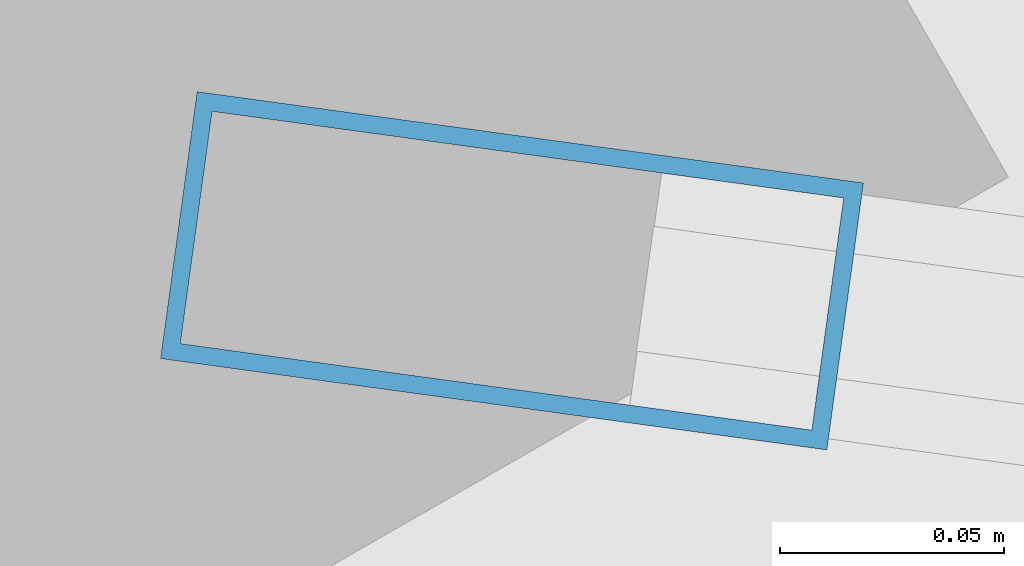
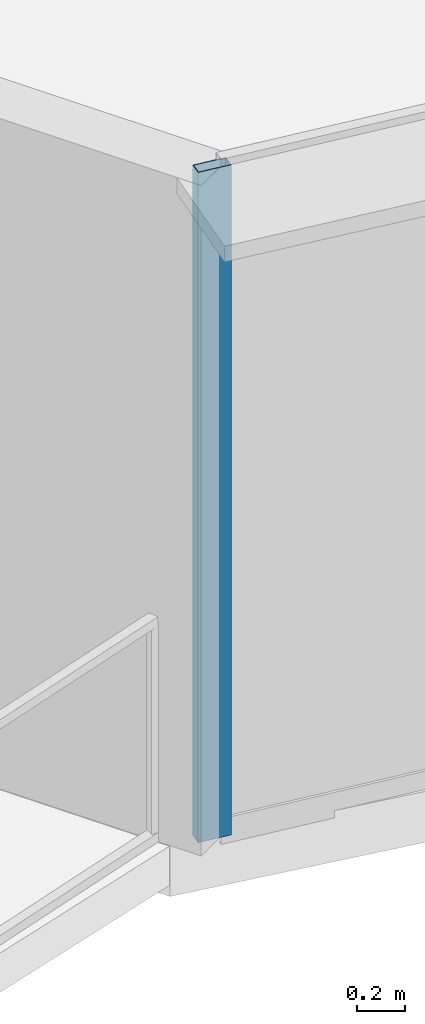
# One storey, part 2 of 39: 1 member, 1 element without a shape of its own.
"""IFC4 building model written with IfcOpenShell, lengths in metres."""

from ifc_helpers import new_model, si_unit, direction, frame, origin, origin_2d, place, context, subcontext, project, spatial, hollow_rectangle, extrude, source, transform, mapped, material, layer, layer_set, material_profile, profile_set, type_object, element, aggregate, save


model = new_model("IFC4")

# Units and contexts
model_context = context("Model", 3, precision=1e-05, world=origin(), true_north=direction((0.0, 1.0)))
body_context = subcontext(model_context, "Body", "Model", "MODEL_VIEW")
ifc_project = project(units=[si_unit("LENGTHUNIT", "METRE"), si_unit("AREAUNIT", "SQUARE_METRE"), si_unit("VOLUMEUNIT", "CUBIC_METRE"), si_unit("PLANEANGLEUNIT", "RADIAN"), si_unit("MASSUNIT", "GRAM", prefix="KILO"), si_unit("THERMODYNAMICTEMPERATUREUNIT", "KELVIN"), si_unit("POWERUNIT", "WATT")], contexts=[model_context])

# Site, building, storey
site_placement = place(None, origin())
site = spatial("IfcSite", under=ifc_project, at=site_placement, CompositionType="ELEMENT")
building_placement = place(site_placement, origin())
building = spatial("IfcBuilding", under=site, at=building_placement, Name="Yunzhuo Pagoda Commons", CompositionType="ELEMENT")
storey_placement = place(building_placement, frame((0.0, 0.0, 162.949951171875)))
storey = spatial("IfcBuildingStorey", under=building, at=storey_placement, Name="L41", CompositionType="ELEMENT", Elevation=162.949951171875)

# Curtain wall, member
ifc_material = material(Name="Anodized aluminium 6063-T6", Category="aluminium")
ifc_layer = layer(ifc_material, 0.14990234375)
ifc_layer_set = layer_set([ifc_layer], Name="Anodized aluminium 6063-T6")
curtain_wall_type = type_object("IfcCurtainWallType", Name="CW-MID Mid-Zone Ribbon Curtain Wall", PredefinedType="NOTDEFINED", material=ifc_layer_set)
curtain_wall_placement = place(storey_placement, origin())
curtain_wall = element("IfcCurtainWall", 1, at=curtain_wall_placement, inside=storey, type_object=curtain_wall_type, Name="L41 curtain wall CW-L41-F1B1", PredefinedType="NOTDEFINED")
ifc_material_profile = material_profile(ifc_material, hollow_rectangle(XDim=0.06005859375, YDim=0.14990234375, WallThickness=0.00390625, at=origin_2d()), Name="Anodized aluminium 6063-T6")
ifc_profile_set = profile_set([ifc_material_profile], Name="Anodized aluminium 6063-T6")
member_type = type_object("IfcMemberType", Name="CW-MID-M Mullion RHS 150x60x4", PredefinedType="MULLION", material=ifc_profile_set)
shared_shape = source(origin(), body_context, "Body", "SweptSolid", [
    extrude(hollow_rectangle(XDim=0.06005859375, YDim=0.14990234375, WallThickness=0.00390625, at=origin_2d()), origin(), (0.0, 0.0, 1.0), 3.420166015625),
])
member_placement = place(storey_placement, frame((13.1884765625, 16.8642578125, 0.0), z_axis=(0.0, 0.0, 1.0), x_axis=(0.135767265879, 0.990740757976, 0.0)))
member = element("IfcMember", 2, at=member_placement, type_object=member_type, Name="CW mullion 1", PredefinedType="MULLION", context=body_context, shape_type="MappedRepresentation", body=[
    mapped(shared_shape, transform((0.0, 0.0, 0.0), scale=1.0)),
])
aggregate(curtain_wall, [member])

save(model, "model.ifc")
